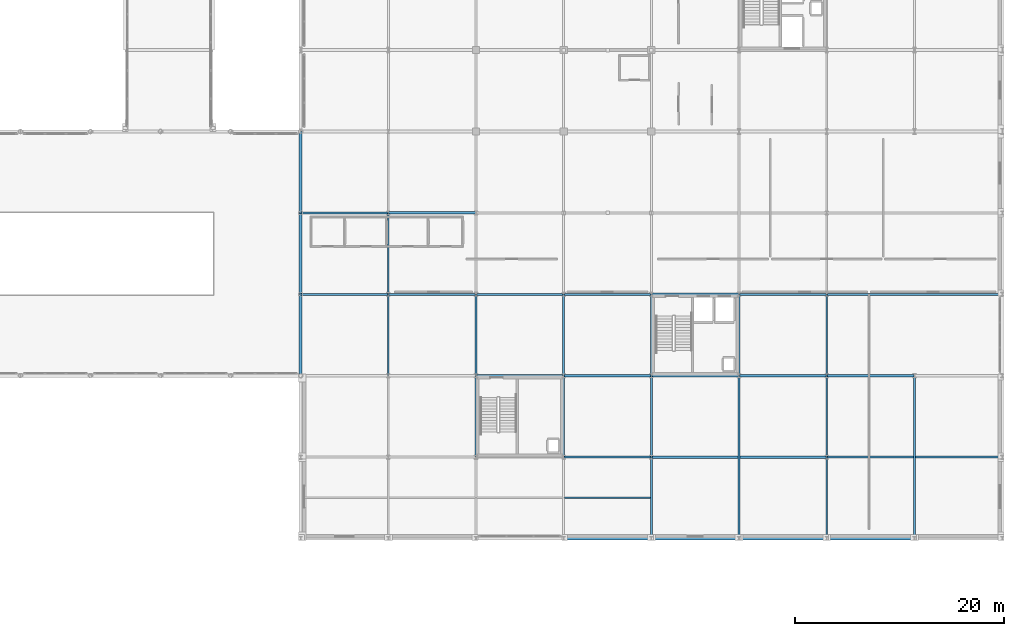
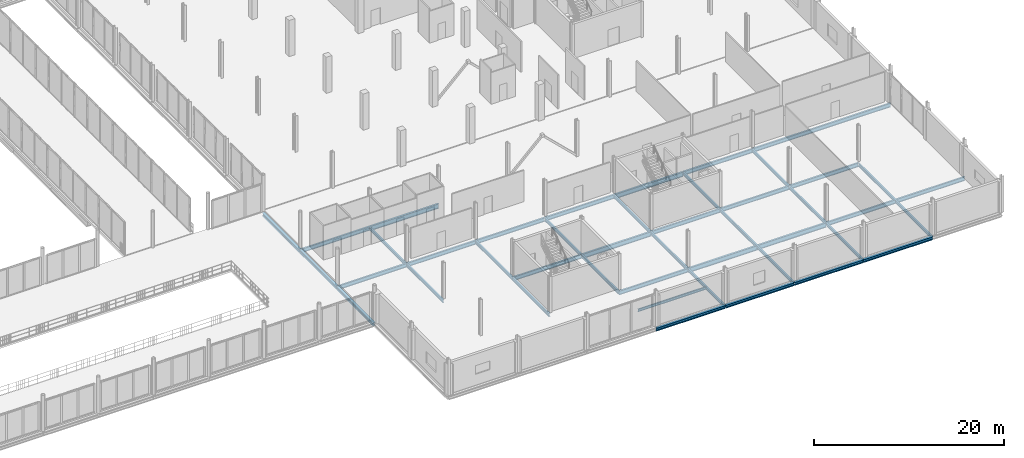
# One storey, part 47 of 98: 40 beams.
"""IFC4 building model written with IfcOpenShell, lengths in metres."""

import ifcopenshell
import ifcopenshell.guid

model = None  # the IFC model being written
_history = None  # IfcOwnerHistory: only IFC2X3 demands one
_inside = {}  # id of a spatial element -> (the spatial element, [elements in it])
_under = {}  # id of a project, library or spatial element -> (it, [spatial elements below it])
_declared = {}  # id of a project -> (the project, [libraries it declares])
_typed = {}  # id of a type object -> (the type object, [elements of that type])
_made_of = {}  # id of a material, layer set ... -> (it, [elements and type objects made of it])


def new_model(schema):
    """Start an empty IFC model of exactly this schema.

    Asked for "IFC4X3", IfcOpenShell would pick the latest addendum, in which some entities
    have other attributes; the version numbers below select the first issue.
    IFC2X3 requires an IfcOwnerHistory on every rooted entity: one is made here for all.
    """
    global model, _history
    if schema == "IFC4X3":
        model = ifcopenshell.file(schema_version=(4, 3, 0, 0))
    else:
        model = ifcopenshell.file(schema=schema)
    _inside.clear()
    _under.clear()
    _declared.clear()
    _typed.clear()
    _made_of.clear()
    _history = None
    if model.schema == "IFC2X3":
        org = make("IfcOrganization", Name="unknown")
        user = make(
            "IfcPersonAndOrganization",
            ThePerson=make("IfcPerson", FamilyName="unknown"),
            TheOrganization=org,
        )
        app = make(
            "IfcApplication",
            ApplicationDeveloper=org,
            Version="unknown",
            ApplicationFullName="unknown",
            ApplicationIdentifier="unknown",
        )
        _history = make(
            "IfcOwnerHistory",
            OwningUser=user,
            OwningApplication=app,
            ChangeAction="ADDED",
            CreationDate=0,
        )
    return model


def make(cls, **values):
    """One entity of the class cls with the attributes given. An attribute that is None is left unset."""
    return model.create_entity(
        cls, **{name: value for name, value in values.items() if value is not None}
    )


def rooted(cls, **values):
    """An entity with a GlobalId (a new one), such as an element, a storey or a relation."""
    return make(cls, GlobalId=ifcopenshell.guid.new(), OwnerHistory=_history, **values)


def si_unit(unit_type, name, prefix=None):
    """IfcSIUnit, for example si_unit("LENGTHUNIT", "METRE", prefix="MILLI")."""
    return make("IfcSIUnit", UnitType=unit_type, Prefix=prefix, Name=name)


def assignment(units):
    """IfcUnitAssignment: the units of a project."""
    return None if units is None else make("IfcUnitAssignment", Units=units)


def point(xyz):
    """IfcCartesianPoint."""
    return None if xyz is None else make("IfcCartesianPoint", Coordinates=xyz)


def direction(xyz):
    """IfcDirection."""
    return None if xyz is None else make("IfcDirection", DirectionRatios=xyz)


def frame(location, z_axis=None, x_axis=None):
    """IfcAxis2Placement3D, a coordinate frame: its origin and axes. An axis left out is left unset."""
    return make(
        "IfcAxis2Placement3D",
        Location=point(location),
        Axis=direction(z_axis),
        RefDirection=direction(x_axis),
    )


def frame_2d(location, x_axis=None):
    """IfcAxis2Placement2D, a coordinate frame in the plane: its origin and x axis."""
    return make(
        "IfcAxis2Placement2D", Location=point(location), RefDirection=direction(x_axis)
    )


def origin():
    """The frame at (0, 0, 0) with its axes left unset."""
    return frame((0.0, 0.0, 0.0))


def origin_2d():
    """The frame at (0, 0) in the plane with its x axis left unset."""
    return frame_2d((0.0, 0.0))


def place(relative_to, where):
    """IfcLocalPlacement: puts the frame where relative to a parent placement (None: the world)."""
    return make(
        "IfcLocalPlacement", PlacementRelTo=relative_to, RelativePlacement=where
    )


def context(
    kind, dimensions, precision=None, world=None, true_north=None, identifier=None
):
    """IfcGeometricRepresentationContext, for example the 3D "Model" context."""
    return make(
        "IfcGeometricRepresentationContext",
        ContextIdentifier=identifier,
        ContextType=kind,
        CoordinateSpaceDimension=dimensions,
        Precision=precision,
        WorldCoordinateSystem=world,
        TrueNorth=true_north,
    )


def subcontext(parent, identifier, kind, view, scale=None):
    """IfcGeometricRepresentationSubContext, for example "Body" below "Model"."""
    return make(
        "IfcGeometricRepresentationSubContext",
        ContextIdentifier=identifier,
        ContextType=kind,
        ParentContext=parent,
        TargetScale=scale,
        TargetView=view,
    )


def project(units=None, contexts=None):
    """IfcProject with its units and contexts."""
    return rooted(
        "IfcProject",
        Name="project",
        RepresentationContexts=contexts,
        UnitsInContext=assignment(units),
    )


def spatial(cls, under=None, at=None, **own):
    """A site, building, storey or space (cls), placed at a placement, below another one or the project."""
    s = rooted(cls, ObjectPlacement=at, **own)
    if under is not None:
        _under.setdefault(under.id(), (under, []))[1].append(s)
    return s


def profile(cls, at=None, kind="AREA", **sizes):
    """A parametric profile (cls). Its sizes go by their IFC names, for example OverallWidth=200.0."""
    return make(cls, ProfileType=kind, Position=at, **sizes)


def i_section(**sizes):
    """IfcIShapeProfileDef."""
    return profile("IfcIShapeProfileDef", **sizes)


def extrude(swept, where, along, depth):
    """IfcExtrudedAreaSolid: the profile swept, set in the frame where, extruded along a direction by depth."""
    return make(
        "IfcExtrudedAreaSolid",
        SweptArea=swept,
        Position=where,
        ExtrudedDirection=direction(along),
        Depth=depth,
    )


def shape(context_of_items, identifier, shape_type, items):
    """IfcShapeRepresentation: the items that make up one representation, for example the "Body"."""
    return make(
        "IfcShapeRepresentation",
        ContextOfItems=context_of_items,
        RepresentationIdentifier=identifier,
        RepresentationType=shape_type,
        Items=items,
    )


def material(Name=None, Category=None):
    """IfcMaterial."""
    return make("IfcMaterial", Name=Name, Category=Category)


def material_profile(
    of_material, cross_section, Name=None, Category=None, Priority=None
):
    """IfcMaterialProfile: a cross section and its material."""
    return make(
        "IfcMaterialProfile",
        Name=Name,
        Material=of_material,
        Profile=cross_section,
        Priority=Priority,
        Category=Category,
    )


def profile_set(profiles, Name=None, composite=None):
    """IfcMaterialProfileSet."""
    return make(
        "IfcMaterialProfileSet",
        Name=Name,
        MaterialProfiles=profiles,
        CompositeProfile=composite,
    )


def made_of(thing, what):
    """Note that an element or type object is made of a material, layer set ...; save() writes the relation."""
    if what is not None:
        _made_of.setdefault(what.id(), (what, []))[1].append(thing)
    return thing


def type_object(cls, material=None, **own):
    """A type object (cls), such as IfcWallType, which elements share."""
    return made_of(rooted(cls, **own), material)


def element(
    cls,
    number,
    at=None,
    inside=None,
    cuts=None,
    type_object=None,
    material=None,
    context=None,
    identifier="Body",
    shape_type=None,
    held_by="IfcProductDefinitionShape",
    body=None,
    shapes=None,
    **own,
):
    """One element of the class cls, such as IfcWall. Its Tag is "e" and its number.

    at: its placement. inside: the storey or other place that contains it. cuts: it is an
    opening in that element (IfcRelVoidsElement). A single representation is given by context,
    identifier, shape_type and body (its items); several are given by shapes. held_by: the class
    of the entity that holds the representations. save() writes the other relations.
    """
    e = rooted(cls, Tag="e%d" % number, ObjectPlacement=at, **own)
    if body is not None:
        shapes = [shape(context, identifier, shape_type, body)]
    if shapes is not None:
        e.Representation = make(held_by, Representations=shapes)
    if inside is not None:
        _inside.setdefault(inside.id(), (inside, []))[1].append(e)
    if cuts is not None:
        rooted(
            "IfcRelVoidsElement", RelatingBuildingElement=cuts, RelatedOpeningElement=e
        )
    if type_object is not None:
        _typed.setdefault(type_object.id(), (type_object, []))[1].append(e)
    return made_of(e, material)


def aggregate(whole, parts):
    """IfcRelAggregates: a whole, such as a stair, and the parts it consists of."""
    return rooted("IfcRelAggregates", RelatingObject=whole, RelatedObjects=parts)


def save(model, path):
    """Write the relations noted so far, then the file.

    IfcRelAggregates (storeys below a building ...), IfcRelContainedInSpatialStructure (elements
    in a storey), IfcRelDefinesByType, IfcRelAssociatesMaterial and IfcRelDeclares: one each for
    every whole, place, type object, material and project.
    """
    for whole, parts in _under.values():
        aggregate(whole, parts)
    for where, things in _inside.values():
        rooted(
            "IfcRelContainedInSpatialStructure",
            RelatedElements=things,
            RelatingStructure=where,
        )
    for kind, things in _typed.values():
        rooted("IfcRelDefinesByType", RelatedObjects=things, RelatingType=kind)
    for what, things in _made_of.values():
        rooted("IfcRelAssociatesMaterial", RelatedObjects=things, RelatingMaterial=what)
    for by, libraries in _declared.values():
        rooted("IfcRelDeclares", RelatingContext=by, RelatedDefinitions=libraries)
    model.write(path)


model = new_model("IFC4")

# Units and contexts
model_context = context("Model", 3, precision=1e-05, world=origin(), true_north=direction((0.0, 1.0)))
body_context = subcontext(model_context, "Body", "Model", "MODEL_VIEW")
ifc_project = project(units=[si_unit("LENGTHUNIT", "METRE"), si_unit("AREAUNIT", "SQUARE_METRE"), si_unit("VOLUMEUNIT", "CUBIC_METRE"), si_unit("PLANEANGLEUNIT", "RADIAN"), si_unit("MASSUNIT", "GRAM", prefix="KILO")], contexts=[model_context])

# Site, building, storey
site_placement = place(None, origin())
site = spatial("IfcSite", under=ifc_project, at=site_placement, CompositionType="ELEMENT")
building_placement = place(site_placement, origin())
building = spatial("IfcBuilding", under=site, at=building_placement, Name="Nabrawat Pavilion Hospital", CompositionType="ELEMENT")
storey_placement = place(building_placement, frame((0.0, 0.0, 10.199951171875)))
storey = spatial("IfcBuildingStorey", under=building, at=storey_placement, Name="L02", CompositionType="ELEMENT", Elevation=10.199951171875)

# Beams
ifc_material = material(Name="Steel S355", Category="steel")
ifc_material_profile_1 = material_profile(ifc_material, i_section(OverallWidth=0.300048828125, OverallDepth=0.389892578125, WebThickness=0.010986328125, FlangeThickness=0.01904296875, FilletRadius=0.027099609375, at=origin_2d()), Name="HEA 400")
ifc_profile_set_1 = profile_set([ifc_material_profile_1], Name="Steel S355")
beam_type_1 = type_object("IfcBeamType", Name="Perimeter Moment Spandrel Beam HEA 400", PredefinedType="SPANDREL", material=ifc_profile_set_1)
beam_1_placement = place(storey_placement, frame((151.219970703125, 0.0, -0.425048828125), z_axis=(1.0, 0.0, 0.0), x_axis=(0.0, 1.0, 0.0)))
element("IfcBeam", 1, at=beam_1_placement, inside=storey, type_object=beam_type_1, Name="L02 Primary X Girder 937", PredefinedType="SPANDREL", context=body_context, shape_type="SweptSolid", body=[
    extrude(i_section(OverallWidth=0.300048828125, OverallDepth=0.389892578125, WebThickness=0.010986328125, FlangeThickness=0.01904296875, FilletRadius=0.027099609375, at=origin_2d()), origin(), (0.0, 0.0, 1.0), 8.360107421875),
])
for number, where, z_axis, x_axis, name in (
    (2, (159.6201171875, 0.0, -0.425048828125), (1.0, 0.0, 0.0), (0.0, 1.0, 0.0), "L02 Primary X Girder 938"),
    (3, (168.02001953125, 0.0, -0.425048828125), (1.0, 0.0, 0.0), (0.0, 1.0, 0.0), "L02 Primary X Girder 939"),
):
    element("IfcBeam", number, at=place(storey_placement, frame(where, z_axis=z_axis, x_axis=x_axis)), inside=storey, type_object=beam_type_1, Name=name, PredefinedType="SPANDREL", context=body_context, shape_type="SweptSolid", body=[
        extrude(i_section(OverallWidth=0.300048828125, OverallDepth=0.389892578125, WebThickness=0.010986328125, FlangeThickness=0.01904296875, FilletRadius=0.027099609375, at=origin_2d()), origin(), (0.0, 0.0, 1.0), 8.35986328125),
    ])
beam_2_placement = place(storey_placement, frame((176.419921875, 0.0, -0.425048828125), z_axis=(1.0, 0.0, 0.0), x_axis=(0.0, 1.0, 0.0)))
element("IfcBeam", 4, at=beam_2_placement, inside=storey, type_object=beam_type_1, Name="L02 Primary X Girder 940", PredefinedType="SPANDREL", context=body_context, shape_type="SweptSolid", body=[
    extrude(i_section(OverallWidth=0.300048828125, OverallDepth=0.389892578125, WebThickness=0.010986328125, FlangeThickness=0.01904296875, FilletRadius=0.027099609375, at=origin_2d()), origin(), (0.0, 0.0, 1.0), 8.360107421875),
])
beam_3_placement = place(storey_placement, frame((126.0, 15.6201171875, -0.43505859375), z_axis=(0.0, 1.0, 0.0), x_axis=(-1.0, 0.0, 0.0)))
element("IfcBeam", 5, at=beam_3_placement, inside=storey, type_object=beam_type_1, Name="L02 Primary Y Beam 1278", PredefinedType="SPANDREL", context=body_context, shape_type="SweptSolid", body=[
    extrude(i_section(OverallWidth=0.300048828125, OverallDepth=0.389892578125, WebThickness=0.010986328125, FlangeThickness=0.01904296875, FilletRadius=0.027099609375, at=origin_2d()), origin(), (0.0, 0.0, 1.0), 7.759765625),
])
for number, where, z_axis, x_axis, name in (
    (6, (126.0, 23.419921875, -0.43505859375), (0.0, 1.0, 0.0), (-1.0, 0.0, 0.0), "L02 Primary Y Beam 1279"),
    (7, (126.0, 31.219970703125, -0.43505859375), (0.0, 1.0, 0.0), (-1.0, 0.0, 0.0), "L02 Primary Y Beam 1280"),
):
    element("IfcBeam", number, at=place(storey_placement, frame(where, z_axis=z_axis, x_axis=x_axis)), inside=storey, type_object=beam_type_1, Name=name, PredefinedType="SPANDREL", context=body_context, shape_type="SweptSolid", body=[
        extrude(i_section(OverallWidth=0.300048828125, OverallDepth=0.389892578125, WebThickness=0.010986328125, FlangeThickness=0.01904296875, FilletRadius=0.027099609375, at=origin_2d()), origin(), (0.0, 0.0, 1.0), 7.760009765625),
    ])
ifc_material_profile_2 = material_profile(ifc_material, i_section(OverallWidth=0.159912109375, OverallDepth=0.330078125, WebThickness=0.007568359375, FlangeThickness=0.011474609375, FilletRadius=0.01806640625, at=origin_2d()), Name="IPE 330")
ifc_profile_set_2 = profile_set([ifc_material_profile_2], Name="Steel S355")
beam_type_2 = type_object("IfcBeamType", Name="Standard Clinical Secondary Joist IPE 330", PredefinedType="JOIST", material=ifc_profile_set_2)
beam_4_placement = place(storey_placement, frame((151.264892578125, 3.89990234375, -0.39501953125), z_axis=(1.0, 0.0, 0.0), x_axis=(0.0, 1.0, 0.0)))
element("IfcBeam", 8, at=beam_4_placement, inside=storey, type_object=beam_type_2, Name="L02 Secondary Composite Floor Joist 1411", PredefinedType="JOIST", context=body_context, shape_type="SweptSolid", body=[
    extrude(i_section(OverallWidth=0.159912109375, OverallDepth=0.330078125, WebThickness=0.007568359375, FlangeThickness=0.011474609375, FilletRadius=0.01806640625, at=origin_2d()), origin(), (0.0, 0.0, 1.0), 8.27001953125),
])
ifc_material_profile_3 = material_profile(ifc_material, i_section(OverallWidth=0.199951171875, OverallDepth=0.5, WebThickness=0.01025390625, FlangeThickness=0.01611328125, FilletRadius=0.02099609375, at=origin_2d()), Name="IPE 500")
ifc_profile_set_3 = profile_set([ifc_material_profile_3], Name="Steel S355")
beam_type_3 = type_object("IfcBeamType", Name="Standard X Floor Girder IPE 500", PredefinedType="USERDEFINED", material=ifc_profile_set_3)
beam_5_placement = place(storey_placement, frame((151.219970703125, 7.800048828125, -0.47998046875), z_axis=(1.0, 0.0, 0.0), x_axis=(0.0, 1.0, 0.0)))
element("IfcBeam", 9, at=beam_5_placement, inside=storey, type_object=beam_type_3, Name="L02 Primary X Girder 947", ObjectType="GIRDER", PredefinedType="USERDEFINED", context=body_context, shape_type="SweptSolid", body=[
    extrude(i_section(OverallWidth=0.199951171875, OverallDepth=0.5, WebThickness=0.01025390625, FlangeThickness=0.01611328125, FilletRadius=0.02099609375, at=origin_2d()), origin(), (0.0, 0.0, 1.0), 8.360107421875),
])
beam_6_placement = place(storey_placement, frame((176.419921875, 7.800048828125, -0.47998046875), z_axis=(1.0, 0.0, 0.0), x_axis=(0.0, 1.0, 0.0)))
element("IfcBeam", 10, at=beam_6_placement, inside=storey, type_object=beam_type_3, Name="L02 Primary X Girder 949", ObjectType="GIRDER", PredefinedType="USERDEFINED", context=body_context, shape_type="SweptSolid", body=[
    extrude(i_section(OverallWidth=0.199951171875, OverallDepth=0.5, WebThickness=0.01025390625, FlangeThickness=0.01611328125, FilletRadius=0.02099609375, at=origin_2d()), origin(), (0.0, 0.0, 1.0), 16.760009765625),
])
for number, where, z_axis, x_axis, name in (
    (11, (142.820068359375, 15.60009765625, -0.47998046875), (1.0, 0.0, 0.0), (0.0, 1.0, 0.0), "L02 Primary X Girder 965"),
    (12, (159.6201171875, 15.60009765625, -0.47998046875), (1.0, 0.0, 0.0), (0.0, 1.0, 0.0), "L02 Primary X Girder 967"),
    (13, (168.02001953125, 15.60009765625, -0.47998046875), (1.0, 0.0, 0.0), (0.0, 1.0, 0.0), "L02 Primary X Girder 968"),
):
    element("IfcBeam", number, at=place(storey_placement, frame(where, z_axis=z_axis, x_axis=x_axis)), inside=storey, type_object=beam_type_3, Name=name, ObjectType="GIRDER", PredefinedType="USERDEFINED", context=body_context, shape_type="SweptSolid", body=[
        extrude(i_section(OverallWidth=0.199951171875, OverallDepth=0.5, WebThickness=0.01025390625, FlangeThickness=0.01611328125, FilletRadius=0.02099609375, at=origin_2d()), origin(), (0.0, 0.0, 1.0), 8.35986328125),
    ])
beam_7_placement = place(storey_placement, frame((176.419921875, 15.60009765625, -0.47998046875), z_axis=(1.0, 0.0, 0.0), x_axis=(0.0, 1.0, 0.0)))
element("IfcBeam", 14, at=beam_7_placement, inside=storey, type_object=beam_type_3, Name="L02 Primary X Girder 969", ObjectType="GIRDER", PredefinedType="USERDEFINED", context=body_context, shape_type="SweptSolid", body=[
    extrude(i_section(OverallWidth=0.199951171875, OverallDepth=0.5, WebThickness=0.01025390625, FlangeThickness=0.01611328125, FilletRadius=0.02099609375, at=origin_2d()), origin(), (0.0, 0.0, 1.0), 8.360107421875),
])
beam_8_placement = place(storey_placement, frame((126.02001953125, 23.39990234375, -0.47998046875), z_axis=(1.0, 0.0, 0.0), x_axis=(0.0, 1.0, 0.0)))
element("IfcBeam", 15, at=beam_8_placement, inside=storey, type_object=beam_type_3, Name="L02 Primary X Girder 974", ObjectType="GIRDER", PredefinedType="USERDEFINED", context=body_context, shape_type="SweptSolid", body=[
    extrude(i_section(OverallWidth=0.199951171875, OverallDepth=0.5, WebThickness=0.01025390625, FlangeThickness=0.01611328125, FilletRadius=0.02099609375, at=origin_2d()), origin(), (0.0, 0.0, 1.0), 8.35986328125),
])
beam_9_placement = place(storey_placement, frame((134.419921875, 23.39990234375, -0.47998046875), z_axis=(1.0, 0.0, 0.0), x_axis=(0.0, 1.0, 0.0)))
element("IfcBeam", 16, at=beam_9_placement, inside=storey, type_object=beam_type_3, Name="L02 Primary X Girder 975", ObjectType="GIRDER", PredefinedType="USERDEFINED", context=body_context, shape_type="SweptSolid", body=[
    extrude(i_section(OverallWidth=0.199951171875, OverallDepth=0.5, WebThickness=0.01025390625, FlangeThickness=0.01611328125, FilletRadius=0.02099609375, at=origin_2d()), origin(), (0.0, 0.0, 1.0), 8.360107421875),
])
beam_10_placement = place(storey_placement, frame((142.820068359375, 23.39990234375, -0.47998046875), z_axis=(1.0, 0.0, 0.0), x_axis=(0.0, 1.0, 0.0)))
element("IfcBeam", 17, at=beam_10_placement, inside=storey, type_object=beam_type_3, Name="L02 Primary X Girder 976", ObjectType="GIRDER", PredefinedType="USERDEFINED", context=body_context, shape_type="SweptSolid", body=[
    extrude(i_section(OverallWidth=0.199951171875, OverallDepth=0.5, WebThickness=0.01025390625, FlangeThickness=0.01611328125, FilletRadius=0.02099609375, at=origin_2d()), origin(), (0.0, 0.0, 1.0), 8.35986328125),
])
beam_11_placement = place(storey_placement, frame((151.219970703125, 23.39990234375, -0.47998046875), z_axis=(1.0, 0.0, 0.0), x_axis=(0.0, 1.0, 0.0)))
element("IfcBeam", 18, at=beam_11_placement, inside=storey, type_object=beam_type_3, Name="L02 Primary X Girder 977", ObjectType="GIRDER", PredefinedType="USERDEFINED", context=body_context, shape_type="SweptSolid", body=[
    extrude(i_section(OverallWidth=0.199951171875, OverallDepth=0.5, WebThickness=0.01025390625, FlangeThickness=0.01611328125, FilletRadius=0.02099609375, at=origin_2d()), origin(), (0.0, 0.0, 1.0), 8.360107421875),
])
beam_12_placement = place(storey_placement, frame((168.02001953125, 23.39990234375, -0.47998046875), z_axis=(1.0, 0.0, 0.0), x_axis=(0.0, 1.0, 0.0)))
element("IfcBeam", 19, at=beam_12_placement, inside=storey, type_object=beam_type_3, Name="L02 Primary X Girder 979", ObjectType="GIRDER", PredefinedType="USERDEFINED", context=body_context, shape_type="SweptSolid", body=[
    extrude(i_section(OverallWidth=0.199951171875, OverallDepth=0.5, WebThickness=0.01025390625, FlangeThickness=0.01611328125, FilletRadius=0.02099609375, at=origin_2d()), origin(), (0.0, 0.0, 1.0), 8.35986328125),
])
beam_13_placement = place(storey_placement, frame((176.419921875, 23.39990234375, -0.47998046875), z_axis=(1.0, 0.0, 0.0), x_axis=(0.0, 1.0, 0.0)))
element("IfcBeam", 20, at=beam_13_placement, inside=storey, type_object=beam_type_3, Name="L02 Primary X Girder 980", ObjectType="GIRDER", PredefinedType="USERDEFINED", context=body_context, shape_type="SweptSolid", body=[
    extrude(i_section(OverallWidth=0.199951171875, OverallDepth=0.5, WebThickness=0.01025390625, FlangeThickness=0.01611328125, FilletRadius=0.02099609375, at=origin_2d()), origin(), (0.0, 0.0, 1.0), 16.760009765625),
])
beam_14_placement = place(storey_placement, frame((126.02001953125, 31.199951171875, -0.47998046875), z_axis=(1.0, 0.0, 0.0), x_axis=(0.0, 1.0, 0.0)))
element("IfcBeam", 21, at=beam_14_placement, inside=storey, type_object=beam_type_3, Name="L02 Primary X Girder 983", ObjectType="GIRDER", PredefinedType="USERDEFINED", context=body_context, shape_type="SweptSolid", body=[
    extrude(i_section(OverallWidth=0.199951171875, OverallDepth=0.5, WebThickness=0.01025390625, FlangeThickness=0.01611328125, FilletRadius=0.02099609375, at=origin_2d()), origin(), (0.0, 0.0, 1.0), 8.35986328125),
])
ifc_material_profile_4 = material_profile(ifc_material, i_section(OverallWidth=0.179931640625, OverallDepth=0.39990234375, WebThickness=0.008544921875, FlangeThickness=0.013427734375, FilletRadius=0.02099609375, at=origin_2d()), Name="IPE 400")
ifc_profile_set_4 = profile_set([ifc_material_profile_4], Name="Steel S355")
beam_type_4 = type_object("IfcBeamType", Name="Standard Y Floor Beam IPE 400", PredefinedType="BEAM", material=ifc_profile_set_4)
beam_15_placement = place(storey_placement, frame((134.39990234375, 15.6201171875, -0.429931640625), z_axis=(0.0, 1.0, 0.0), x_axis=(-1.0, 0.0, 0.0)))
element("IfcBeam", 22, at=beam_15_placement, inside=storey, type_object=beam_type_4, Name="L02 Primary Y Beam 1294", PredefinedType="BEAM", context=body_context, shape_type="SweptSolid", body=[
    extrude(i_section(OverallWidth=0.179931640625, OverallDepth=0.39990234375, WebThickness=0.008544921875, FlangeThickness=0.013427734375, FilletRadius=0.02099609375, at=origin_2d()), origin(), (0.0, 0.0, 1.0), 7.759765625),
])
for number, where, z_axis, x_axis, name in (
    (23, (134.39990234375, 23.419921875, -0.429931640625), (0.0, 1.0, 0.0), (-1.0, 0.0, 0.0), "L02 Primary Y Beam 1295"),
    (24, (142.800048828125, 7.820068359375, -0.429931640625), (0.0, 1.0, 0.0), (-1.0, 0.0, 0.0), "L02 Primary Y Beam 1309"),
):
    element("IfcBeam", number, at=place(storey_placement, frame(where, z_axis=z_axis, x_axis=x_axis)), inside=storey, type_object=beam_type_4, Name=name, PredefinedType="BEAM", context=body_context, shape_type="SweptSolid", body=[
        extrude(i_section(OverallWidth=0.179931640625, OverallDepth=0.39990234375, WebThickness=0.008544921875, FlangeThickness=0.013427734375, FilletRadius=0.02099609375, at=origin_2d()), origin(), (0.0, 0.0, 1.0), 7.760009765625),
    ])
beam_16_placement = place(storey_placement, frame((142.800048828125, 15.6201171875, -0.429931640625), z_axis=(0.0, 1.0, 0.0), x_axis=(-1.0, 0.0, 0.0)))
element("IfcBeam", 25, at=beam_16_placement, inside=storey, type_object=beam_type_4, Name="L02 Primary Y Beam 1310", PredefinedType="BEAM", context=body_context, shape_type="SweptSolid", body=[
    extrude(i_section(OverallWidth=0.179931640625, OverallDepth=0.39990234375, WebThickness=0.008544921875, FlangeThickness=0.013427734375, FilletRadius=0.02099609375, at=origin_2d()), origin(), (0.0, 0.0, 1.0), 7.759765625),
])
beam_17_placement = place(storey_placement, frame((151.199951171875, 7.820068359375, -0.429931640625), z_axis=(0.0, 1.0, 0.0), x_axis=(-1.0, 0.0, 0.0)))
element("IfcBeam", 26, at=beam_17_placement, inside=storey, type_object=beam_type_4, Name="L02 Primary Y Beam 1325", PredefinedType="BEAM", context=body_context, shape_type="SweptSolid", body=[
    extrude(i_section(OverallWidth=0.179931640625, OverallDepth=0.39990234375, WebThickness=0.008544921875, FlangeThickness=0.013427734375, FilletRadius=0.02099609375, at=origin_2d()), origin(), (0.0, 0.0, 1.0), 7.760009765625),
])
beam_18_placement = place(storey_placement, frame((151.199951171875, 15.6201171875, -0.429931640625), z_axis=(0.0, 1.0, 0.0), x_axis=(-1.0, 0.0, 0.0)))
element("IfcBeam", 27, at=beam_18_placement, inside=storey, type_object=beam_type_4, Name="L02 Primary Y Beam 1326", PredefinedType="BEAM", context=body_context, shape_type="SweptSolid", body=[
    extrude(i_section(OverallWidth=0.179931640625, OverallDepth=0.39990234375, WebThickness=0.008544921875, FlangeThickness=0.013427734375, FilletRadius=0.02099609375, at=origin_2d()), origin(), (0.0, 0.0, 1.0), 7.759765625),
])
for number, where, z_axis, x_axis, name in (
    (28, (159.60009765625, 0.02001953125, -0.429931640625), (0.0, 1.0, 0.0), (-1.0, 0.0, 0.0), "L02 Primary Y Beam 1340"),
    (29, (159.60009765625, 7.820068359375, -0.429931640625), (0.0, 1.0, 0.0), (-1.0, 0.0, 0.0), "L02 Primary Y Beam 1341"),
):
    element("IfcBeam", number, at=place(storey_placement, frame(where, z_axis=z_axis, x_axis=x_axis)), inside=storey, type_object=beam_type_4, Name=name, PredefinedType="BEAM", context=body_context, shape_type="SweptSolid", body=[
        extrude(i_section(OverallWidth=0.179931640625, OverallDepth=0.39990234375, WebThickness=0.008544921875, FlangeThickness=0.013427734375, FilletRadius=0.02099609375, at=origin_2d()), origin(), (0.0, 0.0, 1.0), 7.760009765625),
    ])
beam_19_placement = place(storey_placement, frame((159.60009765625, 15.6201171875, -0.429931640625), z_axis=(0.0, 1.0, 0.0), x_axis=(-1.0, 0.0, 0.0)))
element("IfcBeam", 30, at=beam_19_placement, inside=storey, type_object=beam_type_4, Name="L02 Primary Y Beam 1342", PredefinedType="BEAM", context=body_context, shape_type="SweptSolid", body=[
    extrude(i_section(OverallWidth=0.179931640625, OverallDepth=0.39990234375, WebThickness=0.008544921875, FlangeThickness=0.013427734375, FilletRadius=0.02099609375, at=origin_2d()), origin(), (0.0, 0.0, 1.0), 7.759765625),
])
beam_20_placement = place(storey_placement, frame((168.0, 0.02001953125, -0.429931640625), z_axis=(0.0, 1.0, 0.0), x_axis=(-1.0, 0.0, 0.0)))
element("IfcBeam", 31, at=beam_20_placement, inside=storey, type_object=beam_type_4, Name="L02 Primary Y Beam 1356", PredefinedType="BEAM", context=body_context, shape_type="SweptSolid", body=[
    extrude(i_section(OverallWidth=0.179931640625, OverallDepth=0.39990234375, WebThickness=0.008544921875, FlangeThickness=0.013427734375, FilletRadius=0.02099609375, at=origin_2d()), origin(), (0.0, 0.0, 1.0), 15.56005859375),
])
beam_21_placement = place(storey_placement, frame((168.0, 15.6201171875, -0.429931640625), z_axis=(0.0, 1.0, 0.0), x_axis=(-1.0, 0.0, 0.0)))
element("IfcBeam", 32, at=beam_21_placement, inside=storey, type_object=beam_type_4, Name="L02 Primary Y Beam 1357", PredefinedType="BEAM", context=body_context, shape_type="SweptSolid", body=[
    extrude(i_section(OverallWidth=0.179931640625, OverallDepth=0.39990234375, WebThickness=0.008544921875, FlangeThickness=0.013427734375, FilletRadius=0.02099609375, at=origin_2d()), origin(), (0.0, 0.0, 1.0), 7.759765625),
])
for number, where, z_axis, x_axis, name in (
    (33, (176.39990234375, 0.02001953125, -0.429931640625), (0.0, 1.0, 0.0), (-1.0, 0.0, 0.0), "L02 Primary Y Beam 1365"),
    (34, (176.39990234375, 7.820068359375, -0.429931640625), (0.0, 1.0, 0.0), (-1.0, 0.0, 0.0), "L02 Primary Y Beam 1366"),
):
    element("IfcBeam", number, at=place(storey_placement, frame(where, z_axis=z_axis, x_axis=x_axis)), inside=storey, type_object=beam_type_4, Name=name, PredefinedType="BEAM", context=body_context, shape_type="SweptSolid", body=[
        extrude(i_section(OverallWidth=0.179931640625, OverallDepth=0.39990234375, WebThickness=0.008544921875, FlangeThickness=0.013427734375, FilletRadius=0.02099609375, at=origin_2d()), origin(), (0.0, 0.0, 1.0), 7.760009765625),
    ])
beam_22_placement = place(storey_placement, frame((176.39990234375, 15.6201171875, -0.429931640625), z_axis=(0.0, 1.0, 0.0), x_axis=(-1.0, 0.0, 0.0)))
element("IfcBeam", 35, at=beam_22_placement, inside=storey, type_object=beam_type_4, Name="L02 Primary Y Beam 1367", PredefinedType="BEAM", context=body_context, shape_type="SweptSolid", body=[
    extrude(i_section(OverallWidth=0.179931640625, OverallDepth=0.39990234375, WebThickness=0.008544921875, FlangeThickness=0.013427734375, FilletRadius=0.02099609375, at=origin_2d()), origin(), (0.0, 0.0, 1.0), 7.759765625),
])
beam_23_placement = place(storey_placement, frame((184.800048828125, 0.02001953125, -0.429931640625), z_axis=(0.0, 1.0, 0.0), x_axis=(-1.0, 0.0, 0.0)))
element("IfcBeam", 36, at=beam_23_placement, inside=storey, type_object=beam_type_4, Name="L02 Primary Y Beam 1381", PredefinedType="BEAM", context=body_context, shape_type="SweptSolid", body=[
    extrude(i_section(OverallWidth=0.179931640625, OverallDepth=0.39990234375, WebThickness=0.008544921875, FlangeThickness=0.013427734375, FilletRadius=0.02099609375, at=origin_2d()), origin(), (0.0, 0.0, 1.0), 15.56005859375),
])
ifc_material_profile_5 = material_profile(ifc_material, i_section(OverallWidth=0.219970703125, OverallDepth=0.60009765625, WebThickness=0.011962890625, FlangeThickness=0.01904296875, FilletRadius=0.02392578125, at=origin_2d()), Name="IPE 600")
ifc_profile_set_5 = profile_set([ifc_material_profile_5], Name="Steel S355")
beam_type_5 = type_object("IfcBeamType", Name="Wide-Bay Floor Girder IPE 600", PredefinedType="USERDEFINED", material=ifc_profile_set_5)
beam_24_placement = place(storey_placement, frame((159.6201171875, 7.800048828125, -0.530029296875), z_axis=(1.0, 0.0, 0.0), x_axis=(0.0, 1.0, 0.0)))
element("IfcBeam", 37, at=beam_24_placement, inside=storey, type_object=beam_type_5, Name="L02 Primary X Girder 948", ObjectType="GIRDER", PredefinedType="USERDEFINED", context=body_context, shape_type="SweptSolid", body=[
    extrude(i_section(OverallWidth=0.219970703125, OverallDepth=0.60009765625, WebThickness=0.011962890625, FlangeThickness=0.01904296875, FilletRadius=0.02392578125, at=origin_2d()), origin(), (0.0, 0.0, 1.0), 16.759765625),
])
beam_25_placement = place(storey_placement, frame((151.219970703125, 15.60009765625, -0.530029296875), z_axis=(1.0, 0.0, 0.0), x_axis=(0.0, 1.0, 0.0)))
element("IfcBeam", 38, at=beam_25_placement, inside=storey, type_object=beam_type_5, Name="L02 Primary X Girder 966", ObjectType="GIRDER", PredefinedType="USERDEFINED", context=body_context, shape_type="SweptSolid", body=[
    extrude(i_section(OverallWidth=0.219970703125, OverallDepth=0.60009765625, WebThickness=0.011962890625, FlangeThickness=0.01904296875, FilletRadius=0.02392578125, at=origin_2d()), origin(), (0.0, 0.0, 1.0), 8.360107421875),
])
beam_26_placement = place(storey_placement, frame((159.6201171875, 23.39990234375, -0.530029296875), z_axis=(1.0, 0.0, 0.0), x_axis=(0.0, 1.0, 0.0)))
element("IfcBeam", 39, at=beam_26_placement, inside=storey, type_object=beam_type_5, Name="L02 Primary X Girder 978", ObjectType="GIRDER", PredefinedType="USERDEFINED", context=body_context, shape_type="SweptSolid", body=[
    extrude(i_section(OverallWidth=0.219970703125, OverallDepth=0.60009765625, WebThickness=0.011962890625, FlangeThickness=0.01904296875, FilletRadius=0.02392578125, at=origin_2d()), origin(), (0.0, 0.0, 1.0), 8.35986328125),
])
beam_27_placement = place(storey_placement, frame((134.419921875, 31.199951171875, -0.530029296875), z_axis=(1.0, 0.0, 0.0), x_axis=(0.0, 1.0, 0.0)))
element("IfcBeam", 40, at=beam_27_placement, inside=storey, type_object=beam_type_5, Name="L02 Primary X Girder 984", ObjectType="GIRDER", PredefinedType="USERDEFINED", context=body_context, shape_type="SweptSolid", body=[
    extrude(i_section(OverallWidth=0.219970703125, OverallDepth=0.60009765625, WebThickness=0.011962890625, FlangeThickness=0.01904296875, FilletRadius=0.02392578125, at=origin_2d()), origin(), (0.0, 0.0, 1.0), 8.360107421875),
])

save(model, "model.ifc")
